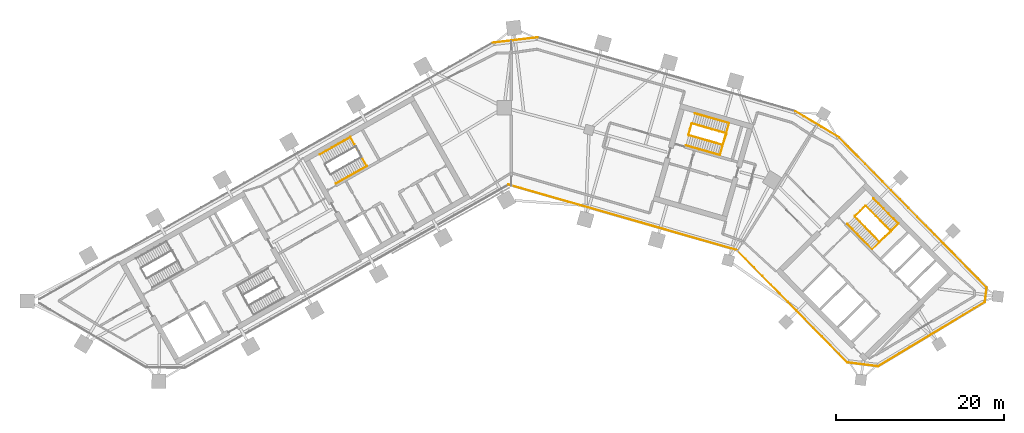
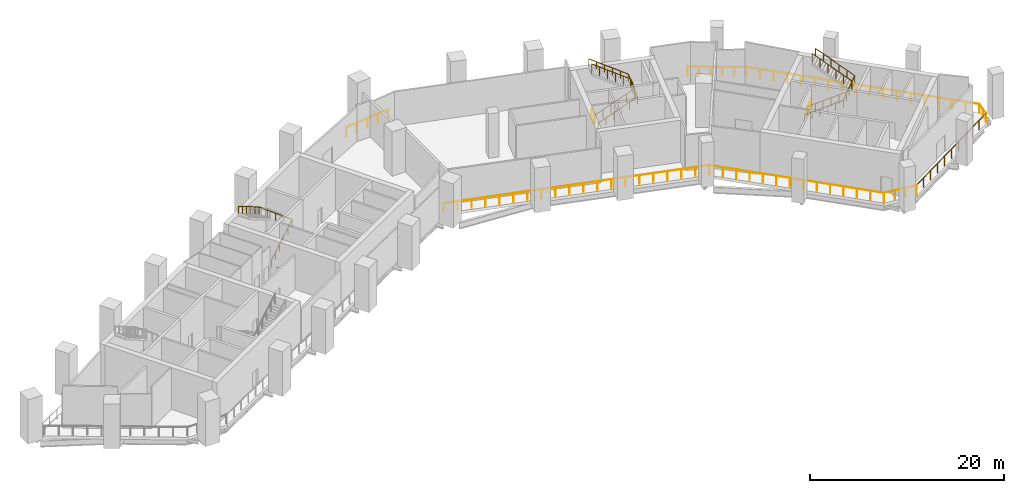
# One storey, part 10 of 11: 17 railings.
"""IFC4 building model written with IfcOpenShell, lengths in metres."""

from ifc_helpers import new_model, si_unit, direction, frame, origin, origin_2d, place, context, subcontext, project, spatial, circle, extrude, material, type_object, element, save


model = new_model("IFC4")

# Units and contexts
model_context = context("Model", 3, precision=1e-05, world=origin(), true_north=direction((0.0, 1.0)))
body_context = subcontext(model_context, "Body", "Model", "MODEL_VIEW")
ifc_project = project(units=[si_unit("LENGTHUNIT", "METRE"), si_unit("AREAUNIT", "SQUARE_METRE"), si_unit("VOLUMEUNIT", "CUBIC_METRE"), si_unit("PLANEANGLEUNIT", "RADIAN"), si_unit("MASSUNIT", "GRAM", prefix="KILO")], contexts=[model_context])

# Site, building, storey
site_placement = place(None, origin())
site = spatial("IfcSite", under=ifc_project, at=site_placement, CompositionType="ELEMENT")
building_placement = place(site_placement, origin())
building = spatial("IfcBuilding", under=site, at=building_placement, Name="Binnacle Exchange Tower", CompositionType="ELEMENT")
storey_placement = place(building_placement, frame((0.0, 0.0, 91.5)))
storey = spatial("IfcBuildingStorey", under=building, at=storey_placement, Name="L18", CompositionType="ELEMENT", Elevation=91.5)

# Railings
ifc_material_1 = material(Name="Bronze anodised aluminium frame", Category="aluminium")
railing_type_1 = type_object("IfcRailingType", Name="GUARD 1200", PredefinedType="GUARDRAIL", material=ifc_material_1)
railing_1_placement = place(storey_placement, frame((38.957763671875, 56.4609375, 0.0)))
element("IfcRailing", 1, at=railing_1_placement, inside=storey, type_object=railing_type_1, Name="Slab edge guard 1 L18", PredefinedType="GUARDRAIL", context=body_context, shape_type="SweptSolid", body=[
    extrude(circle(Radius=0.02392578125, at=origin_2d()), frame((0.0, 0.0, 1.17578125), z_axis=(0.70090487581, -0.713254761685, 0.0), x_axis=(0.713254761685, 0.70090487581, 0.0)), (0.0, 0.0, 1.0), 24.987548828125),
    extrude(circle(Radius=0.02099609375, at=origin_2d()), origin(), (0.0, 0.0, 1.0), 1.15185546875),
    extrude(circle(Radius=0.02099609375, at=origin_2d()), frame((1.0302734375, -1.04833984375, 0.0)), (0.0, 0.0, 1.0), 1.15185546875),
    extrude(circle(Radius=0.02099609375, at=origin_2d()), frame((2.060546875, -2.0966796875, 0.0)), (0.0, 0.0, 1.0), 1.15185546875),
    extrude(circle(Radius=0.02099609375, at=origin_2d()), frame((3.090576171875, -3.145263671875, 0.0)), (0.0, 0.0, 1.0), 1.15185546875),
    extrude(circle(Radius=0.02099609375, at=origin_2d()), frame((4.120849609375, -4.193603515625, 0.0)), (0.0, 0.0, 1.0), 1.15185546875),
    extrude(circle(Radius=0.02099609375, at=origin_2d()), frame((5.151123046875, -5.241943359375, 0.0)), (0.0, 0.0, 1.0), 1.15185546875),
    extrude(circle(Radius=0.02099609375, at=origin_2d()), frame((6.181396484375, -6.290283203125, 0.0)), (0.0, 0.0, 1.0), 1.15185546875),
    extrude(circle(Radius=0.02099609375, at=origin_2d()), frame((7.211669921875, -7.338623046875, 0.0)), (0.0, 0.0, 1.0), 1.15185546875),
    extrude(circle(Radius=0.02099609375, at=origin_2d()), frame((8.241943359375, -8.386962890625, 0.0)), (0.0, 0.0, 1.0), 1.15185546875),
    extrude(circle(Radius=0.02099609375, at=origin_2d()), frame((9.27197265625, -9.435546875, 0.0)), (0.0, 0.0, 1.0), 1.15185546875),
    extrude(circle(Radius=0.02099609375, at=origin_2d()), frame((10.30224609375, -10.48388671875, 0.0)), (0.0, 0.0, 1.0), 1.15185546875),
    extrude(circle(Radius=0.02099609375, at=origin_2d()), frame((11.33251953125, -11.5322265625, 0.0)), (0.0, 0.0, 1.0), 1.15185546875),
    extrude(circle(Radius=0.02099609375, at=origin_2d()), frame((12.36279296875, -12.58056640625, 0.0)), (0.0, 0.0, 1.0), 1.15185546875),
    extrude(circle(Radius=0.02099609375, at=origin_2d()), frame((13.39306640625, -13.62890625, 0.0)), (0.0, 0.0, 1.0), 1.15185546875),
    extrude(circle(Radius=0.02099609375, at=origin_2d()), frame((14.42333984375, -14.67724609375, 0.0)), (0.0, 0.0, 1.0), 1.15185546875),
    extrude(circle(Radius=0.02099609375, at=origin_2d()), frame((15.453369140625, -15.725830078125, 0.0)), (0.0, 0.0, 1.0), 1.15185546875),
    extrude(circle(Radius=0.02099609375, at=origin_2d()), frame((16.483642578125, -16.774169921875, 0.0)), (0.0, 0.0, 1.0), 1.15185546875),
    extrude(circle(Radius=0.02099609375, at=origin_2d()), frame((17.513916015625, -17.822509765625, 0.0)), (0.0, 0.0, 1.0), 1.15185546875),
])
railing_2_placement = place(storey_placement, frame((56.4716796875, 38.638427734375, 0.0)))
element("IfcRailing", 2, at=railing_2_placement, inside=storey, type_object=railing_type_1, Name="Slab edge guard 2 L18", PredefinedType="GUARDRAIL", context=body_context, shape_type="SweptSolid", body=[
    extrude(circle(Radius=0.02392578125, at=origin_2d()), frame((0.0, 0.0, 1.17578125), z_axis=(-0.126028785742, -0.992026584908, 0.0), x_axis=(0.992026584908, -0.126028785742, 0.0)), (0.0, 0.0, 1.0), 1.762939453125),
    extrude(circle(Radius=0.02099609375, at=origin_2d()), origin(), (0.0, 0.0, 1.0), 1.15185546875),
    extrude(circle(Radius=0.02099609375, at=origin_2d()), frame((-0.111083984375, -0.87451171875, 0.0)), (0.0, 0.0, 1.0), 1.15185546875),
    extrude(circle(Radius=0.02099609375, at=origin_2d()), frame((-0.22216796875, -1.748779296875, 0.0)), (0.0, 0.0, 1.0), 1.15185546875),
])
railing_3_placement = place(storey_placement, frame((56.24951171875, 36.8896484375, 0.0)))
element("IfcRailing", 3, at=railing_3_placement, inside=storey, type_object=railing_type_1, Name="Slab edge guard 3 L18", PredefinedType="GUARDRAIL", context=body_context, shape_type="SweptSolid", body=[
    extrude(circle(Radius=0.02392578125, at=origin_2d()), frame((0.0, 0.0, 1.17578125), z_axis=(-0.857170997139, -0.515031922956, 0.0), x_axis=(0.515031922956, -0.857170997139, 0.0)), (0.0, 0.0, 1.0), 14.7958984375),
    extrude(circle(Radius=0.02099609375, at=origin_2d()), origin(), (0.0, 0.0, 1.0), 1.15185546875),
    extrude(circle(Radius=0.02099609375, at=origin_2d()), frame((-1.268310546875, -0.761962890625, 0.0)), (0.0, 0.0, 1.0), 1.15185546875),
    extrude(circle(Radius=0.02099609375, at=origin_2d()), frame((-2.53662109375, -1.524169921875, 0.0)), (0.0, 0.0, 1.0), 1.15185546875),
    extrude(circle(Radius=0.02099609375, at=origin_2d()), frame((-3.8046875, -2.2861328125, 0.0)), (0.0, 0.0, 1.0), 1.15185546875),
    extrude(circle(Radius=0.02099609375, at=origin_2d()), frame((-5.072998046875, -3.048095703125, 0.0)), (0.0, 0.0, 1.0), 1.15185546875),
    extrude(circle(Radius=0.02099609375, at=origin_2d()), frame((-6.34130859375, -3.81005859375, 0.0)), (0.0, 0.0, 1.0), 1.15185546875),
    extrude(circle(Radius=0.02099609375, at=origin_2d()), frame((-7.609619140625, -4.572265625, 0.0)), (0.0, 0.0, 1.0), 1.15185546875),
    extrude(circle(Radius=0.02099609375, at=origin_2d()), frame((-8.8779296875, -5.334228515625, 0.0)), (0.0, 0.0, 1.0), 1.15185546875),
    extrude(circle(Radius=0.02099609375, at=origin_2d()), frame((-10.14599609375, -6.09619140625, 0.0)), (0.0, 0.0, 1.0), 1.15185546875),
    extrude(circle(Radius=0.02099609375, at=origin_2d()), frame((-11.414306640625, -6.8583984375, 0.0)), (0.0, 0.0, 1.0), 1.15185546875),
    extrude(circle(Radius=0.02099609375, at=origin_2d()), frame((-12.6826171875, -7.620361328125, 0.0)), (0.0, 0.0, 1.0), 1.15185546875),
])
railing_4_placement = place(storey_placement, frame((43.56689453125, 29.269287109375, 0.0)))
element("IfcRailing", 4, at=railing_4_placement, inside=storey, type_object=railing_type_1, Name="Slab edge guard 4 L18", PredefinedType="GUARDRAIL", context=body_context, shape_type="SweptSolid", body=[
    extrude(circle(Radius=0.02392578125, at=origin_2d()), frame((0.0, 0.0, 1.17578125), z_axis=(-0.99200869547, 0.12616952133, 0.0), x_axis=(-0.12616952133, -0.99200869547, 0.0)), (0.0, 0.0, 1.0), 3.6591796875),
    extrude(circle(Radius=0.02099609375, at=origin_2d()), origin(), (0.0, 0.0, 1.0), 1.15185546875),
    extrude(circle(Radius=0.02099609375, at=origin_2d()), frame((-1.2099609375, 0.15380859375, 0.0)), (0.0, 0.0, 1.0), 1.15185546875),
    extrude(circle(Radius=0.02099609375, at=origin_2d()), frame((-2.419921875, 0.307861328125, 0.0)), (0.0, 0.0, 1.0), 1.15185546875),
    extrude(circle(Radius=0.02099609375, at=origin_2d()), frame((-3.6298828125, 0.461669921875, 0.0)), (0.0, 0.0, 1.0), 1.15185546875),
])
railing_5_placement = place(storey_placement, frame((39.93701171875, 29.73095703125, 0.0)))
element("IfcRailing", 5, at=railing_5_placement, inside=storey, type_object=railing_type_1, Name="Slab edge guard 5 L18", PredefinedType="GUARDRAIL", context=body_context, shape_type="SweptSolid", body=[
    extrude(circle(Radius=0.02392578125, at=origin_2d()), frame((0.0, 0.0, 1.17578125), z_axis=(-0.700914226663, 0.713245572619, 0.0), x_axis=(-0.713245572619, -0.700914226663, 0.0)), (0.0, 0.0, 1.0), 18.689697265625),
    extrude(circle(Radius=0.02099609375, at=origin_2d()), origin(), (0.0, 0.0, 1.0), 1.15185546875),
    extrude(circle(Radius=0.02099609375, at=origin_2d()), frame((-1.007568359375, 1.025390625, 0.0)), (0.0, 0.0, 1.0), 1.15185546875),
    extrude(circle(Radius=0.02099609375, at=origin_2d()), frame((-2.015380859375, 2.05078125, 0.0)), (0.0, 0.0, 1.0), 1.15185546875),
    extrude(circle(Radius=0.02099609375, at=origin_2d()), frame((-3.02294921875, 3.076171875, 0.0)), (0.0, 0.0, 1.0), 1.15185546875),
    extrude(circle(Radius=0.02099609375, at=origin_2d()), frame((-4.03076171875, 4.1015625, 0.0)), (0.0, 0.0, 1.0), 1.15185546875),
    extrude(circle(Radius=0.02099609375, at=origin_2d()), frame((-5.038330078125, 5.126953125, 0.0)), (0.0, 0.0, 1.0), 1.15185546875),
    extrude(circle(Radius=0.02099609375, at=origin_2d()), frame((-6.046142578125, 6.15234375, 0.0)), (0.0, 0.0, 1.0), 1.15185546875),
    extrude(circle(Radius=0.02099609375, at=origin_2d()), frame((-7.0537109375, 7.177978515625, 0.0)), (0.0, 0.0, 1.0), 1.15185546875),
    extrude(circle(Radius=0.02099609375, at=origin_2d()), frame((-8.0615234375, 8.203369140625, 0.0)), (0.0, 0.0, 1.0), 1.15185546875),
    extrude(circle(Radius=0.02099609375, at=origin_2d()), frame((-9.069091796875, 9.228759765625, 0.0)), (0.0, 0.0, 1.0), 1.15185546875),
    extrude(circle(Radius=0.02099609375, at=origin_2d()), frame((-10.076904296875, 10.254150390625, 0.0)), (0.0, 0.0, 1.0), 1.15185546875),
    extrude(circle(Radius=0.02099609375, at=origin_2d()), frame((-11.08447265625, 11.279541015625, 0.0)), (0.0, 0.0, 1.0), 1.15185546875),
    extrude(circle(Radius=0.02099609375, at=origin_2d()), frame((-12.09228515625, 12.304931640625, 0.0)), (0.0, 0.0, 1.0), 1.15185546875),
    extrude(circle(Radius=0.02099609375, at=origin_2d()), frame((-13.099853515625, 13.330322265625, 0.0)), (0.0, 0.0, 1.0), 1.15185546875),
])
railing_6_placement = place(storey_placement, frame((26.837158203125, 43.061279296875, 0.0)))
element("IfcRailing", 6, at=railing_6_placement, inside=storey, type_object=railing_type_1, Name="Slab edge guard 6 L18", PredefinedType="GUARDRAIL", context=body_context, shape_type="SweptSolid", body=[
    extrude(circle(Radius=0.02392578125, at=origin_2d()), frame((0.0, 0.0, 1.17578125), z_axis=(-0.961262478822, 0.275634625561, 0.0), x_axis=(-0.275634625561, -0.961262478822, 0.0)), (0.0, 0.0, 1.0), 28.270263671875),
    extrude(circle(Radius=0.02099609375, at=origin_2d()), origin(), (0.0, 0.0, 1.0), 1.15185546875),
    extrude(circle(Radius=0.02099609375, at=origin_2d()), frame((-1.43017578125, 0.41015625, 0.0)), (0.0, 0.0, 1.0), 1.15185546875),
    extrude(circle(Radius=0.02099609375, at=origin_2d()), frame((-2.860595703125, 0.8203125, 0.0)), (0.0, 0.0, 1.0), 1.15185546875),
    extrude(circle(Radius=0.02099609375, at=origin_2d()), frame((-4.290771484375, 1.23046875, 0.0)), (0.0, 0.0, 1.0), 1.15185546875),
    extrude(circle(Radius=0.02099609375, at=origin_2d()), frame((-5.720947265625, 1.640380859375, 0.0)), (0.0, 0.0, 1.0), 1.15185546875),
    extrude(circle(Radius=0.02099609375, at=origin_2d()), frame((-7.1513671875, 2.050537109375, 0.0)), (0.0, 0.0, 1.0), 1.15185546875),
    extrude(circle(Radius=0.02099609375, at=origin_2d()), frame((-8.58154296875, 2.460693359375, 0.0)), (0.0, 0.0, 1.0), 1.15185546875),
    extrude(circle(Radius=0.02099609375, at=origin_2d()), frame((-10.011962890625, 2.870849609375, 0.0)), (0.0, 0.0, 1.0), 1.15185546875),
    extrude(circle(Radius=0.02099609375, at=origin_2d()), frame((-11.442138671875, 3.281005859375, 0.0)), (0.0, 0.0, 1.0), 1.15185546875),
    extrude(circle(Radius=0.02099609375, at=origin_2d()), frame((-12.872314453125, 3.691162109375, 0.0)), (0.0, 0.0, 1.0), 1.15185546875),
    extrude(circle(Radius=0.02099609375, at=origin_2d()), frame((-14.302734375, 4.10107421875, 0.0)), (0.0, 0.0, 1.0), 1.15185546875),
    extrude(circle(Radius=0.02099609375, at=origin_2d()), frame((-15.73291015625, 4.51123046875, 0.0)), (0.0, 0.0, 1.0), 1.15185546875),
    extrude(circle(Radius=0.02099609375, at=origin_2d()), frame((-17.1630859375, 4.92138671875, 0.0)), (0.0, 0.0, 1.0), 1.15185546875),
    extrude(circle(Radius=0.02099609375, at=origin_2d()), frame((-18.593505859375, 5.33154296875, 0.0)), (0.0, 0.0, 1.0), 1.15185546875),
    extrude(circle(Radius=0.02099609375, at=origin_2d()), frame((-20.023681640625, 5.74169921875, 0.0)), (0.0, 0.0, 1.0), 1.15185546875),
    extrude(circle(Radius=0.02099609375, at=origin_2d()), frame((-21.4541015625, 6.15185546875, 0.0)), (0.0, 0.0, 1.0), 1.15185546875),
    extrude(circle(Radius=0.02099609375, at=origin_2d()), frame((-22.88427734375, 6.561767578125, 0.0)), (0.0, 0.0, 1.0), 1.15185546875),
    extrude(circle(Radius=0.02099609375, at=origin_2d()), frame((-24.314453125, 6.971923828125, 0.0)), (0.0, 0.0, 1.0), 1.15185546875),
    extrude(circle(Radius=0.02099609375, at=origin_2d()), frame((-25.744873046875, 7.382080078125, 0.0)), (0.0, 0.0, 1.0), 1.15185546875),
    extrude(circle(Radius=0.02099609375, at=origin_2d()), frame((-27.175048828125, 7.792236328125, 0.0)), (0.0, 0.0, 1.0), 1.15185546875),
])
railing_7_placement = place(storey_placement, frame((-2.205322265625, 67.70751953125, 0.0)))
element("IfcRailing", 7, at=railing_7_placement, inside=storey, type_object=railing_type_1, Name="Slab edge guard 11 L18", PredefinedType="GUARDRAIL", context=body_context, shape_type="SweptSolid", body=[
    extrude(circle(Radius=0.02392578125, at=origin_2d()), frame((0.0, 0.0, 1.17578125), z_axis=(0.993065925604, 0.117558782763, 0.0), x_axis=(-0.117558782763, 0.993065925604, 0.0)), (0.0, 0.0, 1.0), 5.38916015625),
    extrude(circle(Radius=0.02099609375, at=origin_2d()), origin(), (0.0, 0.0, 1.0), 1.15185546875),
    extrude(circle(Radius=0.02099609375, at=origin_2d()), frame((1.337890625, 0.158447265625, 0.0)), (0.0, 0.0, 1.0), 1.15185546875),
    extrude(circle(Radius=0.02099609375, at=origin_2d()), frame((2.67578125, 0.31689453125, 0.0)), (0.0, 0.0, 1.0), 1.15185546875),
    extrude(circle(Radius=0.02099609375, at=origin_2d()), frame((4.013916015625, 0.47509765625, 0.0)), (0.0, 0.0, 1.0), 1.15185546875),
    extrude(circle(Radius=0.02099609375, at=origin_2d()), frame((5.351806640625, 0.633544921875, 0.0)), (0.0, 0.0, 1.0), 1.15185546875),
])
railing_8_placement = place(storey_placement, frame((33.7294921875, 59.5712890625, 0.0)))
element("IfcRailing", 8, at=railing_8_placement, inside=storey, type_object=railing_type_1, Name="Slab edge guard 13 L18", PredefinedType="GUARDRAIL", context=body_context, shape_type="SweptSolid", body=[
    extrude(circle(Radius=0.02392578125, at=origin_2d()), frame((0.0, 0.0, 1.17578125), z_axis=(0.859416747879, -0.51127571179, 0.0), x_axis=(0.51127571179, 0.859416747879, 0.0)), (0.0, 0.0, 1.0), 6.08349609375),
    extrude(circle(Radius=0.02099609375, at=origin_2d()), origin(), (0.0, 0.0, 1.0), 1.15185546875),
    extrude(circle(Radius=0.02099609375, at=origin_2d()), frame((1.045654296875, -0.6220703125, 0.0)), (0.0, 0.0, 1.0), 1.15185546875),
    extrude(circle(Radius=0.02099609375, at=origin_2d()), frame((2.09130859375, -1.244140625, 0.0)), (0.0, 0.0, 1.0), 1.15185546875),
    extrude(circle(Radius=0.02099609375, at=origin_2d()), frame((3.136962890625, -1.8662109375, 0.0)), (0.0, 0.0, 1.0), 1.15185546875),
    extrude(circle(Radius=0.02099609375, at=origin_2d()), frame((4.1826171875, -2.48828125, 0.0)), (0.0, 0.0, 1.0), 1.15185546875),
    extrude(circle(Radius=0.02099609375, at=origin_2d()), frame((5.228271484375, -3.1103515625, 0.0)), (0.0, 0.0, 1.0), 1.15185546875),
])
ifc_material_2 = material(Name="Steel guard rail", Category="steel")
railing_type_2 = type_object("IfcRailingType", Name="STAIR GUARD 1100", PredefinedType="GUARDRAIL", material=ifc_material_2)
railing_9_placement = place(storey_placement, frame((40.822509765625, 47.046875, 0.175048828125)))
element("IfcRailing", 9, at=railing_9_placement, inside=storey, type_object=railing_type_2, Name="L18 STB1 stair guard 1", PredefinedType="GUARDRAIL", context=body_context, shape_type="SweptSolid", body=[
    extrude(circle(Radius=0.02392578125, at=origin_2d()), frame((0.0, 0.0, 1.076171875), z_axis=(0.594359269524, -0.604858400757, 0.52998431464), x_axis=(0.713270154113, 0.700889211824, 0.0)), (0.0, 0.0, 1.0), 4.952880859375),
    extrude(circle(Radius=0.02392578125, at=origin_2d()), frame((2.94384765625, -2.995849609375, 3.701171875), z_axis=(0.732397402777, 0.680877407765, 0.0), x_axis=(-0.680877407765, 0.732397402777, 0.0)), (0.0, 0.0, 1.0), 1.80078125),
    extrude(circle(Radius=0.02099609375, at=origin_2d()), origin(), (0.0, 0.0, 1.0), 1.052001953125),
    extrude(circle(Radius=0.02099609375, at=origin_2d()), frame((0.5888671875, -0.59912109375, 0.52490234375)), (0.0, 0.0, 1.0), 1.052001953125),
    extrude(circle(Radius=0.02099609375, at=origin_2d()), frame((1.177490234375, -1.1982421875, 1.050048828125)), (0.0, 0.0, 1.0), 1.052001953125),
    extrude(circle(Radius=0.02099609375, at=origin_2d()), frame((1.766357421875, -1.797607421875, 1.574951171875)), (0.0, 0.0, 1.0), 1.052001953125),
    extrude(circle(Radius=0.02099609375, at=origin_2d()), frame((2.35498046875, -2.396728515625, 2.10009765625)), (0.0, 0.0, 1.0), 1.052001953125),
    extrude(circle(Radius=0.02099609375, at=origin_2d()), frame((2.94384765625, -2.995849609375, 2.625)), (0.0, 0.0, 1.0), 1.052001953125),
    extrude(circle(Radius=0.02099609375, at=origin_2d()), frame((3.603271484375, -2.3828125, 2.625)), (0.0, 0.0, 1.0), 1.052001953125),
    extrude(circle(Radius=0.02099609375, at=origin_2d()), frame((4.2626953125, -1.769775390625, 2.625)), (0.0, 0.0, 1.0), 1.052001953125),
])
railing_10_placement = place(storey_placement, frame((45.0859375, 45.347900390625, 2.97509765625)))
element("IfcRailing", 10, at=railing_10_placement, inside=storey, type_object=railing_type_2, Name="L18 STB1 stair guard 2", PredefinedType="GUARDRAIL", context=body_context, shape_type="SweptSolid", body=[
    extrude(circle(Radius=0.02392578125, at=origin_2d()), frame((0.0, 0.0, 1.076171875), z_axis=(-0.594376990117, 0.604827141212, 0.530000115918), x_axis=(-0.71324159795, -0.700918271237, 0.0)), (0.0, 0.0, 1.0), 4.952880859375),
    extrude(circle(Radius=0.02099609375, at=origin_2d()), origin(), (0.0, 0.0, 1.0), 1.052001953125),
    extrude(circle(Radius=0.02099609375, at=origin_2d()), frame((-0.5888671875, 0.59912109375, 0.52490234375)), (0.0, 0.0, 1.0), 1.052001953125),
    extrude(circle(Radius=0.02099609375, at=origin_2d()), frame((-1.177490234375, 1.1982421875, 1.050048828125)), (0.0, 0.0, 1.0), 1.052001953125),
    extrude(circle(Radius=0.02099609375, at=origin_2d()), frame((-1.766357421875, 1.79736328125, 1.574951171875)), (0.0, 0.0, 1.0), 1.052001953125),
    extrude(circle(Radius=0.02099609375, at=origin_2d()), frame((-2.35498046875, 2.396484375, 2.10009765625)), (0.0, 0.0, 1.0), 1.052001953125),
    extrude(circle(Radius=0.02099609375, at=origin_2d()), frame((-2.94384765625, 2.99560546875, 2.625)), (0.0, 0.0, 1.0), 1.052001953125),
])
railing_11_placement = place(storey_placement, frame((40.8232421875, 47.117431640625, 0.0)))
element("IfcRailing", 11, at=railing_11_placement, inside=storey, type_object=railing_type_2, Name="L18 STB1 stair guard 3", PredefinedType="GUARDRAIL", context=body_context, shape_type="SweptSolid", body=[
    extrude(circle(Radius=0.02392578125, at=origin_2d()), frame((0.0, 0.0, 1.076171875), z_axis=(0.713218950569, 0.700941316052, 0.0), x_axis=(-0.700941316052, 0.713218950569, 0.0)), (0.0, 0.0, 1.0), 1.75),
    extrude(circle(Radius=0.02099609375, at=origin_2d()), origin(), (0.0, 0.0, 1.0), 1.052001953125),
    extrude(circle(Radius=0.02099609375, at=origin_2d()), frame((0.6240234375, 0.61328125, 0.0)), (0.0, 0.0, 1.0), 1.052001953125),
    extrude(circle(Radius=0.02099609375, at=origin_2d()), frame((1.248046875, 1.2265625, 0.0)), (0.0, 0.0, 1.0), 1.052001953125),
])
railing_12_placement = place(storey_placement, frame((21.086669921875, 56.71044921875, 0.175048828125)))
element("IfcRailing", 12, at=railing_12_placement, inside=storey, type_object=railing_type_2, Name="L18 STD1 stair guard 1", PredefinedType="GUARDRAIL", context=body_context, shape_type="SweptSolid", body=[
    extrude(circle(Radius=0.02392578125, at=origin_2d()), frame((0.0, 0.0, 1.076171875), z_axis=(0.81515051279, -0.233745161254, 0.529993246267), x_axis=(0.275642273411, 0.961260285827, 0.0)), (0.0, 0.0, 1.0), 4.952880859375),
    extrude(circle(Radius=0.02392578125, at=origin_2d()), frame((4.037353515625, -1.15771484375, 3.701171875), z_axis=(0.309736310622, 0.950822495465, 0.0), x_axis=(-0.950822495465, 0.309736310622, 0.0)), (0.0, 0.0, 1.0), 1.400634765625),
    extrude(circle(Radius=0.02099609375, at=origin_2d()), origin(), (0.0, 0.0, 1.0), 1.052001953125),
    extrude(circle(Radius=0.02099609375, at=origin_2d()), frame((0.807373046875, -0.2314453125, 0.52490234375)), (0.0, 0.0, 1.0), 1.052001953125),
    extrude(circle(Radius=0.02099609375, at=origin_2d()), frame((1.614990234375, -0.463134765625, 1.050048828125)), (0.0, 0.0, 1.0), 1.052001953125),
    extrude(circle(Radius=0.02099609375, at=origin_2d()), frame((2.42236328125, -0.694580078125, 1.574951171875)), (0.0, 0.0, 1.0), 1.052001953125),
    extrude(circle(Radius=0.02099609375, at=origin_2d()), frame((3.22998046875, -0.92626953125, 2.10009765625)), (0.0, 0.0, 1.0), 1.052001953125),
    extrude(circle(Radius=0.02099609375, at=origin_2d()), frame((4.037353515625, -1.15771484375, 2.625)), (0.0, 0.0, 1.0), 1.052001953125),
    extrude(circle(Radius=0.02099609375, at=origin_2d()), frame((4.25439453125, -0.49169921875, 2.625)), (0.0, 0.0, 1.0), 1.052001953125),
    extrude(circle(Radius=0.02099609375, at=origin_2d()), frame((4.47119140625, 0.174072265625, 2.625)), (0.0, 0.0, 1.0), 1.052001953125),
])
railing_13_placement = place(storey_placement, frame((25.523681640625, 56.946533203125, 2.97509765625)))
element("IfcRailing", 13, at=railing_13_placement, inside=storey, type_object=railing_type_2, Name="L18 STD1 stair guard 2", PredefinedType="GUARDRAIL", context=body_context, shape_type="SweptSolid", body=[
    extrude(circle(Radius=0.02392578125, at=origin_2d()), frame((0.0, 0.0, 1.076171875), z_axis=(-0.81515051279, 0.233745161254, 0.529993246267), x_axis=(-0.275642273411, -0.961260285827, 0.0)), (0.0, 0.0, 1.0), 4.952880859375),
    extrude(circle(Radius=0.02099609375, at=origin_2d()), origin(), (0.0, 0.0, 1.0), 1.052001953125),
    extrude(circle(Radius=0.02099609375, at=origin_2d()), frame((-0.807373046875, 0.2314453125, 0.52490234375)), (0.0, 0.0, 1.0), 1.052001953125),
    extrude(circle(Radius=0.02099609375, at=origin_2d()), frame((-1.614990234375, 0.463134765625, 1.050048828125)), (0.0, 0.0, 1.0), 1.052001953125),
    extrude(circle(Radius=0.02099609375, at=origin_2d()), frame((-2.42236328125, 0.694580078125, 1.574951171875)), (0.0, 0.0, 1.0), 1.052001953125),
    extrude(circle(Radius=0.02099609375, at=origin_2d()), frame((-3.22998046875, 0.92626953125, 2.10009765625)), (0.0, 0.0, 1.0), 1.052001953125),
    extrude(circle(Radius=0.02099609375, at=origin_2d()), frame((-4.037353515625, 1.15771484375, 2.625)), (0.0, 0.0, 1.0), 1.052001953125),
])
railing_14_placement = place(storey_placement, frame((21.05224609375, 56.772216796875, 0.0)))
element("IfcRailing", 14, at=railing_14_placement, inside=storey, type_object=railing_type_2, Name="L18 STD1 stair guard 3", PredefinedType="GUARDRAIL", context=body_context, shape_type="SweptSolid", body=[
    extrude(circle(Radius=0.02392578125, at=origin_2d()), frame((0.0, 0.0, 1.076171875), z_axis=(0.275795817769, 0.961216243569, 0.0), x_axis=(-0.961216243569, 0.275795817769, 0.0)), (0.0, 0.0, 1.0), 1.349853515625),
    extrude(circle(Radius=0.02099609375, at=origin_2d()), origin(), (0.0, 0.0, 1.0), 1.052001953125),
    extrude(circle(Radius=0.02099609375, at=origin_2d()), frame((0.18603515625, 0.64892578125, 0.0)), (0.0, 0.0, 1.0), 1.052001953125),
    extrude(circle(Radius=0.02099609375, at=origin_2d()), frame((0.372314453125, 1.297607421875, 0.0)), (0.0, 0.0, 1.0), 1.052001953125),
])
ifc_material_3 = material(Name="Steel handrail", Category="steel")
railing_type_3 = type_object("IfcRailingType", Name="STAIR HANDRAIL 900", PredefinedType="HANDRAIL", material=ifc_material_3)
railing_15_placement = place(storey_placement, frame((39.930908203125, 46.170654296875, 0.175048828125)))
element("IfcRailing", 15, at=railing_15_placement, inside=storey, type_object=railing_type_3, Name="L18 STB1 stair handrail 1", PredefinedType="HANDRAIL", context=body_context, shape_type="SweptSolid", body=[
    extrude(circle(Radius=0.02392578125, at=origin_2d()), frame((0.0, 0.0, 0.8759765625), z_axis=(0.594376990117, -0.604827141212, 0.530000115918), x_axis=(0.71324159795, 0.700918271237, 0.0)), (0.0, 0.0, 1.0), 4.952880859375),
    extrude(circle(Radius=0.02392578125, at=origin_2d()), frame((2.94384765625, -2.99560546875, 3.5009765625), z_axis=(0.712704477542, 0.700311079986, 0.040208443654), x_axis=(-0.700877870428, 0.713281298468, 0.0)), (0.0, 0.0, 1.0), 4.353515625),
    extrude(circle(Radius=0.02392578125, at=origin_2d()), frame((6.046630859375, 0.05322265625, 3.67578125), z_axis=(-0.594359269524, 0.604858400757, 0.52998431464), x_axis=(-0.713270154113, -0.700889211824, 0.0)), (0.0, 0.0, 1.0), 4.952880859375),
    extrude(circle(Radius=0.02099609375, at=origin_2d()), origin(), (0.0, 0.0, 1.0), 0.851806640625),
    extrude(circle(Radius=0.02099609375, at=origin_2d()), frame((0.5888671875, -0.59912109375, 0.52490234375)), (0.0, 0.0, 1.0), 0.851806640625),
    extrude(circle(Radius=0.02099609375, at=origin_2d()), frame((1.177490234375, -1.1982421875, 1.050048828125)), (0.0, 0.0, 1.0), 0.851806640625),
    extrude(circle(Radius=0.02099609375, at=origin_2d()), frame((1.766357421875, -1.79736328125, 1.574951171875)), (0.0, 0.0, 1.0), 0.851806640625),
    extrude(circle(Radius=0.02099609375, at=origin_2d()), frame((2.35498046875, -2.396484375, 2.10009765625)), (0.0, 0.0, 1.0), 0.851806640625),
    extrude(circle(Radius=0.02099609375, at=origin_2d()), frame((2.94384765625, -2.99560546875, 2.625)), (0.0, 0.0, 1.0), 0.851806640625),
    extrude(circle(Radius=0.02099609375, at=origin_2d()), frame((3.719482421875, -2.2333984375, 2.668701171875)), (0.0, 0.0, 1.0), 0.851806640625),
    extrude(circle(Radius=0.02099609375, at=origin_2d()), frame((4.4951171875, -1.47119140625, 2.71240234375)), (0.0, 0.0, 1.0), 0.851806640625),
    extrude(circle(Radius=0.02099609375, at=origin_2d()), frame((5.27099609375, -0.708984375, 2.75634765625)), (0.0, 0.0, 1.0), 0.851806640625),
    extrude(circle(Radius=0.02099609375, at=origin_2d()), frame((6.046630859375, 0.05322265625, 2.800048828125)), (0.0, 0.0, 1.0), 0.851806640625),
    extrude(circle(Radius=0.02099609375, at=origin_2d()), frame((5.457763671875, 0.65234375, 3.324951171875)), (0.0, 0.0, 1.0), 0.851806640625),
    extrude(circle(Radius=0.02099609375, at=origin_2d()), frame((4.869140625, 1.25146484375, 3.85009765625)), (0.0, 0.0, 1.0), 0.851806640625),
    extrude(circle(Radius=0.02099609375, at=origin_2d()), frame((4.2802734375, 1.850830078125, 4.375)), (0.0, 0.0, 1.0), 0.851806640625),
    extrude(circle(Radius=0.02099609375, at=origin_2d()), frame((3.691650390625, 2.449951171875, 4.900146484375)), (0.0, 0.0, 1.0), 0.851806640625),
    extrude(circle(Radius=0.02099609375, at=origin_2d()), frame((3.102783203125, 3.049072265625, 5.425048828125)), (0.0, 0.0, 1.0), 0.851806640625),
])
railing_16_placement = place(storey_placement, frame((-20.808349609375, 50.984619140625, 0.175048828125)))
element("IfcRailing", 16, at=railing_16_placement, inside=storey, type_object=railing_type_3, Name="L18 STC1 stair handrail 1", PredefinedType="HANDRAIL", context=body_context, shape_type="SweptSolid", body=[
    extrude(circle(Radius=0.02392578125, at=origin_2d()), frame((0.0, 0.0, 0.8759765625), z_axis=(0.738051101275, 0.417602947305, 0.529989009611), x_axis=(-0.492453686477, 0.870338650569, 0.0)), (0.0, 0.0, 1.0), 4.952880859375),
    extrude(circle(Radius=0.02392578125, at=origin_2d()), frame((3.655517578125, 2.068359375, 3.5009765625), z_axis=(-0.491957231529, 0.869492880276, 0.044274298357), x_axis=(-0.87034633103, -0.492440112159, 0.0)), (0.0, 0.0, 1.0), 3.95361328125),
    extrude(circle(Radius=0.02392578125, at=origin_2d()), frame((1.71044921875, 5.506103515625, 3.67578125), z_axis=(-0.73806629329, -0.417562250081, 0.529999918884), x_axis=(0.492409653846, -0.870363563575, 0.0)), (0.0, 0.0, 1.0), 4.952880859375),
    extrude(circle(Radius=0.02099609375, at=origin_2d()), origin(), (0.0, 0.0, 1.0), 0.851806640625),
    extrude(circle(Radius=0.02099609375, at=origin_2d()), frame((0.731201171875, 0.41357421875, 0.52490234375)), (0.0, 0.0, 1.0), 0.851806640625),
    extrude(circle(Radius=0.02099609375, at=origin_2d()), frame((1.462158203125, 0.827392578125, 1.050048828125)), (0.0, 0.0, 1.0), 0.851806640625),
    extrude(circle(Radius=0.02099609375, at=origin_2d()), frame((2.193359375, 1.240966796875, 1.574951171875)), (0.0, 0.0, 1.0), 0.851806640625),
    extrude(circle(Radius=0.02099609375, at=origin_2d()), frame((2.92431640625, 1.65478515625, 2.10009765625)), (0.0, 0.0, 1.0), 0.851806640625),
    extrude(circle(Radius=0.02099609375, at=origin_2d()), frame((3.655517578125, 2.068359375, 2.625)), (0.0, 0.0, 1.0), 0.851806640625),
    extrude(circle(Radius=0.02099609375, at=origin_2d()), frame((3.169189453125, 2.927734375, 2.668701171875)), (0.0, 0.0, 1.0), 0.851806640625),
    extrude(circle(Radius=0.02099609375, at=origin_2d()), frame((2.68310546875, 3.787109375, 2.71240234375)), (0.0, 0.0, 1.0), 0.851806640625),
    extrude(circle(Radius=0.02099609375, at=origin_2d()), frame((2.19677734375, 4.646728515625, 2.75634765625)), (0.0, 0.0, 1.0), 0.851806640625),
    extrude(circle(Radius=0.02099609375, at=origin_2d()), frame((1.71044921875, 5.506103515625, 2.800048828125)), (0.0, 0.0, 1.0), 0.851806640625),
    extrude(circle(Radius=0.02099609375, at=origin_2d()), frame((0.979248046875, 5.092529296875, 3.324951171875)), (0.0, 0.0, 1.0), 0.851806640625),
    extrude(circle(Radius=0.02099609375, at=origin_2d()), frame((0.248291015625, 4.678955078125, 3.85009765625)), (0.0, 0.0, 1.0), 0.851806640625),
    extrude(circle(Radius=0.02099609375, at=origin_2d()), frame((-0.48291015625, 4.26513671875, 4.375)), (0.0, 0.0, 1.0), 0.851806640625),
    extrude(circle(Radius=0.02099609375, at=origin_2d()), frame((-1.2138671875, 3.8515625, 4.900146484375)), (0.0, 0.0, 1.0), 0.851806640625),
    extrude(circle(Radius=0.02099609375, at=origin_2d()), frame((-1.945068359375, 3.43798828125, 5.425048828125)), (0.0, 0.0, 1.0), 0.851806640625),
])
railing_17_placement = place(storey_placement, frame((20.7421875, 55.5087890625, 0.175048828125)))
element("IfcRailing", 17, at=railing_17_placement, inside=storey, type_object=railing_type_3, Name="L18 STD1 stair handrail 1", PredefinedType="HANDRAIL", context=body_context, shape_type="SweptSolid", body=[
    extrude(circle(Radius=0.02392578125, at=origin_2d()), frame((0.0, 0.0, 0.8759765625), z_axis=(0.815133972689, -0.23375455361, 0.530014542474), x_axis=(0.275657676022, 0.961255868981, 0.0)), (0.0, 0.0, 1.0), 4.95263671875),
    extrude(circle(Radius=0.02392578125, at=origin_2d()), frame((4.037109375, -1.15771484375, 3.5009765625), z_axis=(0.275397646925, 0.96031035986, 0.044273567902), x_axis=(-0.961252921364, 0.275667954558, 0.0)), (0.0, 0.0, 1.0), 3.953857421875),
    extrude(circle(Radius=0.02392578125, at=origin_2d()), frame((5.1259765625, 2.63916015625, 3.67578125), z_axis=(-0.81515051279, 0.233745161254, 0.529993246267), x_axis=(-0.275642273411, -0.961260285827, 0.0)), (0.0, 0.0, 1.0), 4.952880859375),
    extrude(circle(Radius=0.02099609375, at=origin_2d()), origin(), (0.0, 0.0, 1.0), 0.851806640625),
    extrude(circle(Radius=0.02099609375, at=origin_2d()), frame((0.807373046875, -0.2314453125, 0.52490234375)), (0.0, 0.0, 1.0), 0.851806640625),
    extrude(circle(Radius=0.02099609375, at=origin_2d()), frame((1.61474609375, -0.463134765625, 1.050048828125)), (0.0, 0.0, 1.0), 0.851806640625),
    extrude(circle(Radius=0.02099609375, at=origin_2d()), frame((2.42236328125, -0.694580078125, 1.574951171875)), (0.0, 0.0, 1.0), 0.851806640625),
    extrude(circle(Radius=0.02099609375, at=origin_2d()), frame((3.229736328125, -0.92626953125, 2.10009765625)), (0.0, 0.0, 1.0), 0.851806640625),
    extrude(circle(Radius=0.02099609375, at=origin_2d()), frame((4.037109375, -1.15771484375, 2.625)), (0.0, 0.0, 1.0), 0.851806640625),
    extrude(circle(Radius=0.02099609375, at=origin_2d()), frame((4.309326171875, -0.20849609375, 2.668701171875)), (0.0, 0.0, 1.0), 0.851806640625),
    extrude(circle(Radius=0.02099609375, at=origin_2d()), frame((4.58154296875, 0.74072265625, 2.71240234375)), (0.0, 0.0, 1.0), 0.851806640625),
    extrude(circle(Radius=0.02099609375, at=origin_2d()), frame((4.853759765625, 1.68994140625, 2.75634765625)), (0.0, 0.0, 1.0), 0.851806640625),
    extrude(circle(Radius=0.02099609375, at=origin_2d()), frame((5.1259765625, 2.63916015625, 2.800048828125)), (0.0, 0.0, 1.0), 0.851806640625),
    extrude(circle(Radius=0.02099609375, at=origin_2d()), frame((4.318603515625, 2.87060546875, 3.324951171875)), (0.0, 0.0, 1.0), 0.851806640625),
    extrude(circle(Radius=0.02099609375, at=origin_2d()), frame((3.510986328125, 3.102294921875, 3.85009765625)), (0.0, 0.0, 1.0), 0.851806640625),
    extrude(circle(Radius=0.02099609375, at=origin_2d()), frame((2.70361328125, 3.333740234375, 4.375)), (0.0, 0.0, 1.0), 0.851806640625),
    extrude(circle(Radius=0.02099609375, at=origin_2d()), frame((1.89599609375, 3.5654296875, 4.900146484375)), (0.0, 0.0, 1.0), 0.851806640625),
    extrude(circle(Radius=0.02099609375, at=origin_2d()), frame((1.088623046875, 3.796875, 5.425048828125)), (0.0, 0.0, 1.0), 0.851806640625),
])

save(model, "model.ifc")
